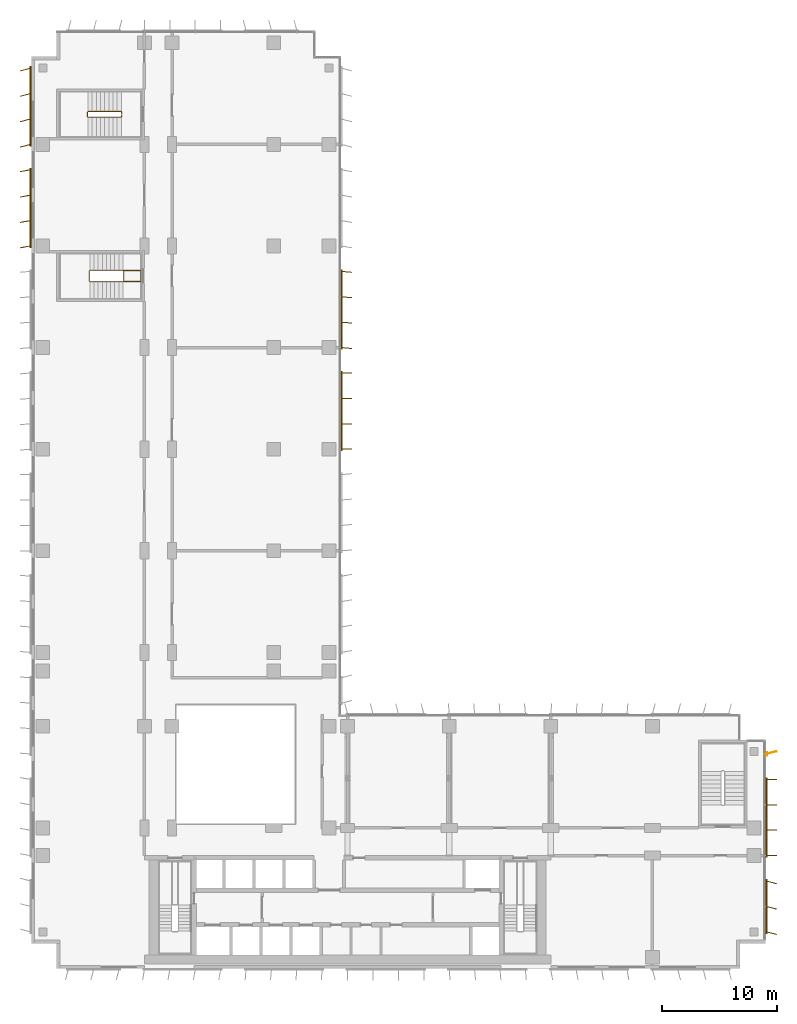
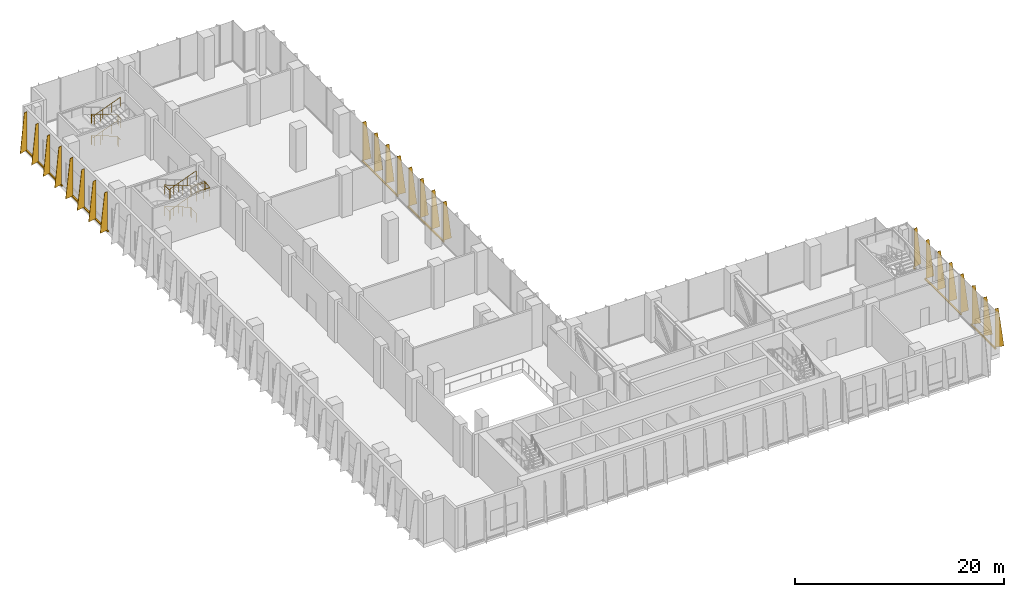
# One storey, part 20 of 21: 7 shading devices, 2 railings.
"""IFC4 building model written with IfcOpenShell, lengths in metres."""

from ifc_helpers import new_model, si_unit, direction, frame, origin, origin_2d, place, context, subcontext, project, spatial, polyline, rectangle, circle, outline, extrude, source, transform, mapped, material, layer, layer_set, type_object, element, save


model = new_model("IFC4")

# Units and contexts
model_context = context("Model", 3, precision=1e-05, world=origin(), true_north=direction((0.0, 1.0)))
body_context = subcontext(model_context, "Body", "Model", "MODEL_VIEW")
ifc_project = project(units=[si_unit("LENGTHUNIT", "METRE"), si_unit("AREAUNIT", "SQUARE_METRE"), si_unit("VOLUMEUNIT", "CUBIC_METRE"), si_unit("PLANEANGLEUNIT", "RADIAN"), si_unit("MASSUNIT", "GRAM", prefix="KILO")], contexts=[model_context])

# Site, building, storey
site_placement = place(None, origin())
site = spatial("IfcSite", under=ifc_project, at=site_placement, CompositionType="ELEMENT")
building_placement = place(site_placement, origin())
building = spatial("IfcBuilding", under=site, at=building_placement, Name="Kemantara Hotel Tower", CompositionType="ELEMENT")
storey_placement = place(building_placement, frame((0.0, 0.0, 133.300048828125)))
storey = spatial("IfcBuildingStorey", under=building, at=storey_placement, Name="L32", CompositionType="ELEMENT", Elevation=133.300048828125)

# Railings
ifc_material_1 = material(Name="Stainless steel balustrade", Category="steel")
railing_type = type_object("IfcRailingType", Name="Stair guard 1100 mm", PredefinedType="GUARDRAIL", material=ifc_material_1)
railing_1_placement = place(storey_placement, frame((7.949951171875, 59.5, 5.0)))
element("IfcRailing", 1, at=railing_1_placement, inside=storey, type_object=railing_type, Name="L32 ST4 stair guard 1", PredefinedType="GUARDRAIL", context=body_context, shape_type="SweptSolid", body=[
    extrude(circle(Radius=0.02392578125, at=origin_2d()), frame((0.0, 0.0, 1.076171875), z_axis=(-0.932972064118, 0.0, -0.359948784656), x_axis=(0.0, -1.0, 0.0)), (0.0, 0.0, 1.0), 3.086669921875),
    extrude(circle(Radius=0.02392578125, at=origin_2d()), frame((-2.8798828125, 0.0, -0.03515625), z_axis=(-0.321014310373, 0.321014310373, -0.891010451718), x_axis=(-0.707106781187, -0.707106781187, 0.0)), (0.0, 0.0, 1.0), 0.156005859375),
    extrude(circle(Radius=0.02392578125, at=origin_2d()), frame((-2.929931640625, 0.050048828125, -0.173828125), z_axis=(0.0, 1.0, 0.0), x_axis=(-1.0, 0.0, 0.0)), (0.0, 0.0, 1.0), 0.89990234375),
    extrude(circle(Radius=0.02392578125, at=origin_2d()), frame((-2.929931640625, 0.949951171875, -0.173828125), z_axis=(0.707106781187, 0.707106781187, 0.0), x_axis=(-0.707106781187, 0.707106781187, 0.0)), (0.0, 0.0, 1.0), 0.07080078125),
    extrude(circle(Radius=0.02392578125, at=origin_2d()), frame((-2.8798828125, 1.0, -0.173828125), z_axis=(0.932972064118, 0.0, -0.359948784656), x_axis=(0.0, 1.0, 0.0)), (0.0, 0.0, 1.0), 3.086669921875),
    extrude(circle(Radius=0.02392578125, at=origin_2d()), frame((0.0, 1.0, -1.28515625), z_axis=(1.0, 0.0, 0.0), x_axis=(0.0, 1.0, 0.0)), (0.0, 0.0, 1.0), 1.530029296875),
    extrude(circle(Radius=0.02392578125, at=origin_2d()), frame((1.530029296875, 1.0, -1.28515625), z_axis=(0.0, -0.989476165601, -0.144695949172), x_axis=(1.0, 0.0, 0.0)), (0.0, 0.0, 1.0), 0.9599609375),
    extrude(circle(Radius=0.02392578125, at=origin_2d()), frame((1.530029296875, 0.050048828125, -1.423828125), z_axis=(-1.0, 0.0, 0.0), x_axis=(0.0, -1.0, 0.0)), (0.0, 0.0, 1.0), 1.47998046875),
    extrude(circle(Radius=0.02392578125, at=origin_2d()), frame((0.050048828125, 0.050048828125, -1.423828125), z_axis=(0.0, 1.0, 0.0), x_axis=(-1.0, 0.0, 0.0)), (0.0, 0.0, 1.0), 0.89990234375),
    extrude(circle(Radius=0.02392578125, at=origin_2d()), frame((0.050048828125, 0.949951171875, -1.423828125), z_axis=(1.0, 0.0, 0.0), x_axis=(0.0, 1.0, 0.0)), (0.0, 0.0, 1.0), 1.47998046875),
    extrude(circle(Radius=0.02392578125, at=origin_2d()), frame((1.530029296875, 0.949951171875, -1.423828125), z_axis=(0.0, -1.0, 0.0), x_axis=(1.0, 0.0, 0.0)), (0.0, 0.0, 1.0), 0.949951171875),
    extrude(circle(Radius=0.02392578125, at=origin_2d()), frame((1.530029296875, 0.0, -1.423828125), z_axis=(-1.0, 0.0, 0.0), x_axis=(0.0, -1.0, 0.0)), (0.0, 0.0, 1.0), 1.530029296875),
    extrude(circle(Radius=0.02392578125, at=origin_2d()), frame((0.0, 0.0, -1.423828125), z_axis=(-0.932972064118, 0.0, -0.359948784656), x_axis=(0.0, -1.0, 0.0)), (0.0, 0.0, 1.0), 3.086669921875),
    extrude(circle(Radius=0.02392578125, at=origin_2d()), frame((-2.8798828125, 0.0, -2.53515625), z_axis=(-0.321014310373, 0.321014310373, -0.891010451718), x_axis=(-0.707106781187, -0.707106781187, 0.0)), (0.0, 0.0, 1.0), 0.156005859375),
    extrude(circle(Radius=0.02392578125, at=origin_2d()), frame((-2.929931640625, 0.050048828125, -2.673828125), z_axis=(0.0, 1.0, 0.0), x_axis=(-1.0, 0.0, 0.0)), (0.0, 0.0, 1.0), 0.89990234375),
    extrude(circle(Radius=0.02392578125, at=origin_2d()), frame((-2.929931640625, 0.949951171875, -2.673828125), z_axis=(0.707106781187, 0.707106781187, 0.0), x_axis=(-0.707106781187, 0.707106781187, 0.0)), (0.0, 0.0, 1.0), 0.07080078125),
    extrude(circle(Radius=0.02392578125, at=origin_2d()), frame((-2.8798828125, 1.0, -2.673828125), z_axis=(0.932972064118, 0.0, -0.359948784656), x_axis=(0.0, 1.0, 0.0)), (0.0, 0.0, 1.0), 3.086669921875),
    extrude(circle(Radius=0.02392578125, at=origin_2d()), frame((0.0, 1.0, -3.78515625), z_axis=(0.321014310373, -0.321014310373, -0.891010451718), x_axis=(0.707106781187, 0.707106781187, 0.0)), (0.0, 0.0, 1.0), 0.156005859375),
    extrude(circle(Radius=0.02392578125, at=origin_2d()), frame((0.050048828125, 0.949951171875, -3.923828125), z_axis=(0.0, -1.0, 0.0), x_axis=(1.0, 0.0, 0.0)), (0.0, 0.0, 1.0), 0.89990234375),
    extrude(circle(Radius=0.02099609375, at=origin_2d()), origin(), (0.0, 0.0, 1.0), 1.052001953125),
    extrude(circle(Radius=0.02099609375, at=origin_2d()), frame((-0.9599609375, 0.0, -0.370361328125)), (0.0, 0.0, 1.0), 1.052001953125),
    extrude(circle(Radius=0.02099609375, at=origin_2d()), frame((-1.919921875, 0.0, -0.74072265625)), (0.0, 0.0, 1.0), 1.052001953125),
    extrude(circle(Radius=0.02099609375, at=origin_2d()), frame((-2.8798828125, 0.0, -1.111083984375)), (0.0, 0.0, 1.0), 1.052001953125),
    extrude(circle(Radius=0.02099609375, at=origin_2d()), frame((-2.929931640625, 0.050048828125, -1.25)), (0.0, 0.0, 1.0), 1.052001953125),
    extrude(circle(Radius=0.02099609375, at=origin_2d()), frame((-2.929931640625, 0.949951171875, -1.25)), (0.0, 0.0, 1.0), 1.052001953125),
    extrude(circle(Radius=0.02099609375, at=origin_2d()), frame((-2.8798828125, 1.0, -1.25)), (0.0, 0.0, 1.0), 1.052001953125),
    extrude(circle(Radius=0.02099609375, at=origin_2d()), frame((-1.919921875, 1.0, -1.620361328125)), (0.0, 0.0, 1.0), 1.052001953125),
    extrude(circle(Radius=0.02099609375, at=origin_2d()), frame((-0.9599609375, 1.0, -1.99072265625)), (0.0, 0.0, 1.0), 1.052001953125),
    extrude(circle(Radius=0.02099609375, at=origin_2d()), frame((0.0, 1.0, -2.361083984375)), (0.0, 0.0, 1.0), 1.052001953125),
    extrude(circle(Radius=0.02099609375, at=origin_2d()), frame((0.76513671875, 1.0, -2.361083984375)), (0.0, 0.0, 1.0), 1.052001953125),
    extrude(circle(Radius=0.02099609375, at=origin_2d()), frame((1.530029296875, 1.0, -2.361083984375)), (0.0, 0.0, 1.0), 1.052001953125),
    extrude(circle(Radius=0.02099609375, at=origin_2d()), frame((1.530029296875, 0.050048828125, -2.5)), (0.0, 0.0, 1.0), 1.052001953125),
    extrude(circle(Radius=0.02099609375, at=origin_2d()), frame((0.7900390625, 0.050048828125, -2.5)), (0.0, 0.0, 1.0), 1.052001953125),
    extrude(circle(Radius=0.02099609375, at=origin_2d()), frame((0.050048828125, 0.050048828125, -2.5)), (0.0, 0.0, 1.0), 1.052001953125),
    extrude(circle(Radius=0.02099609375, at=origin_2d()), frame((0.050048828125, 0.949951171875, -2.5)), (0.0, 0.0, 1.0), 1.052001953125),
    extrude(circle(Radius=0.02099609375, at=origin_2d()), frame((0.7900390625, 0.949951171875, -2.5)), (0.0, 0.0, 1.0), 1.052001953125),
    extrude(circle(Radius=0.02099609375, at=origin_2d()), frame((1.530029296875, 0.949951171875, -2.5)), (0.0, 0.0, 1.0), 1.052001953125),
    extrude(circle(Radius=0.02099609375, at=origin_2d()), frame((1.530029296875, 0.0, -2.5)), (0.0, 0.0, 1.0), 1.052001953125),
    extrude(circle(Radius=0.02099609375, at=origin_2d()), frame((0.76513671875, 0.0, -2.5)), (0.0, 0.0, 1.0), 1.052001953125),
    extrude(circle(Radius=0.02099609375, at=origin_2d()), frame((0.0, 0.0, -2.5)), (0.0, 0.0, 1.0), 1.052001953125),
    extrude(circle(Radius=0.02099609375, at=origin_2d()), frame((-0.9599609375, 0.0, -2.870361328125)), (0.0, 0.0, 1.0), 1.052001953125),
    extrude(circle(Radius=0.02099609375, at=origin_2d()), frame((-1.919921875, 0.0, -3.24072265625)), (0.0, 0.0, 1.0), 1.052001953125),
    extrude(circle(Radius=0.02099609375, at=origin_2d()), frame((-2.8798828125, 0.0, -3.611083984375)), (0.0, 0.0, 1.0), 1.052001953125),
    extrude(circle(Radius=0.02099609375, at=origin_2d()), frame((-2.929931640625, 0.050048828125, -3.75)), (0.0, 0.0, 1.0), 1.052001953125),
    extrude(circle(Radius=0.02099609375, at=origin_2d()), frame((-2.929931640625, 0.949951171875, -3.75)), (0.0, 0.0, 1.0), 1.052001953125),
    extrude(circle(Radius=0.02099609375, at=origin_2d()), frame((-2.8798828125, 1.0, -3.75)), (0.0, 0.0, 1.0), 1.052001953125),
    extrude(circle(Radius=0.02099609375, at=origin_2d()), frame((-1.919921875, 1.0, -4.120361328125)), (0.0, 0.0, 1.0), 1.052001953125),
    extrude(circle(Radius=0.02099609375, at=origin_2d()), frame((-0.9599609375, 1.0, -4.49072265625)), (0.0, 0.0, 1.0), 1.052001953125),
    extrude(circle(Radius=0.02099609375, at=origin_2d()), frame((0.0, 1.0, -4.861083984375)), (0.0, 0.0, 1.0), 1.052001953125),
    extrude(circle(Radius=0.02099609375, at=origin_2d()), frame((0.050048828125, 0.949951171875, -5.0)), (0.0, 0.0, 1.0), 1.052001953125),
    extrude(circle(Radius=0.02099609375, at=origin_2d()), frame((0.050048828125, 0.050048828125, -5.0)), (0.0, 0.0, 1.0), 1.052001953125),
])
railing_2_placement = place(storey_placement, frame((7.800048828125, 73.75, 5.0)))
element("IfcRailing", 2, at=railing_2_placement, inside=storey, type_object=railing_type, Name="L32 ST6 stair guard 1", PredefinedType="GUARDRAIL", context=body_context, shape_type="SweptSolid", body=[
    extrude(circle(Radius=0.02392578125, at=origin_2d()), frame((0.0, 0.0, 1.076171875), z_axis=(-0.932982310422, 0.0, -0.359922225543), x_axis=(0.0, -1.0, 0.0)), (0.0, 0.0, 1.0), 3.0869140625),
    extrude(circle(Radius=0.02392578125, at=origin_2d()), frame((-2.880126953125, 0.0, -0.03515625), z_axis=(-0.319608697381, 0.321175406682, -0.891457592206), x_axis=(-0.708833529934, -0.705375805398, 0.0)), (0.0, 0.0, 1.0), 0.15576171875),
    extrude(circle(Radius=0.02392578125, at=origin_2d()), frame((-2.929931640625, 0.050048828125, -0.173828125), z_axis=(0.0, 1.0, 0.0), x_axis=(-1.0, 0.0, 0.0)), (0.0, 0.0, 1.0), 0.39990234375),
    extrude(circle(Radius=0.02392578125, at=origin_2d()), frame((-2.929931640625, 0.449951171875, -0.173828125), z_axis=(0.705375805398, 0.708833529934, 0.0), x_axis=(-0.708833529934, 0.705375805398, 0.0)), (0.0, 0.0, 1.0), 0.070556640625),
    extrude(circle(Radius=0.02392578125, at=origin_2d()), frame((-2.880126953125, 0.5, -0.173828125), z_axis=(0.932982310422, 0.0, -0.359922225543), x_axis=(0.0, 1.0, 0.0)), (0.0, 0.0, 1.0), 3.0869140625),
    extrude(circle(Radius=0.02392578125, at=origin_2d()), frame((0.0, 0.5, -1.28515625), z_axis=(0.105686461667, -0.950147067569, -0.293344374089), x_axis=(0.993870574751, 0.110549901152, 0.0)), (0.0, 0.0, 1.0), 0.4736328125),
    extrude(circle(Radius=0.02392578125, at=origin_2d()), frame((0.050048828125, 0.050048828125, -1.423828125), z_axis=(0.0, 1.0, 0.0), x_axis=(-1.0, 0.0, 0.0)), (0.0, 0.0, 1.0), 0.39990234375),
    extrude(circle(Radius=0.02392578125, at=origin_2d()), frame((0.050048828125, 0.449951171875, -1.423828125), z_axis=(-0.110549901152, -0.993870574751, 0.0), x_axis=(0.993870574751, -0.110549901152, 0.0)), (0.0, 0.0, 1.0), 0.45263671875),
    extrude(circle(Radius=0.02392578125, at=origin_2d()), frame((0.0, 0.0, -1.423828125), z_axis=(-0.932982310422, 0.0, -0.359922225543), x_axis=(0.0, -1.0, 0.0)), (0.0, 0.0, 1.0), 3.0869140625),
    extrude(circle(Radius=0.02392578125, at=origin_2d()), frame((-2.880126953125, 0.0, -2.53515625), z_axis=(-0.319608697381, 0.321175406682, -0.891457592206), x_axis=(-0.708833529934, -0.705375805398, 0.0)), (0.0, 0.0, 1.0), 0.15576171875),
    extrude(circle(Radius=0.02392578125, at=origin_2d()), frame((-2.929931640625, 0.050048828125, -2.673828125), z_axis=(0.0, 1.0, 0.0), x_axis=(-1.0, 0.0, 0.0)), (0.0, 0.0, 1.0), 0.39990234375),
    extrude(circle(Radius=0.02392578125, at=origin_2d()), frame((-2.929931640625, 0.449951171875, -2.673828125), z_axis=(0.705375805398, 0.708833529934, 0.0), x_axis=(-0.708833529934, 0.705375805398, 0.0)), (0.0, 0.0, 1.0), 0.070556640625),
    extrude(circle(Radius=0.02392578125, at=origin_2d()), frame((-2.880126953125, 0.5, -2.673828125), z_axis=(0.932982310422, 0.0, -0.359922225543), x_axis=(0.0, 1.0, 0.0)), (0.0, 0.0, 1.0), 3.0869140625),
    extrude(circle(Radius=0.02392578125, at=origin_2d()), frame((0.0, 0.5, -3.78515625), z_axis=(0.321014310373, -0.321014310373, -0.891010451718), x_axis=(0.707106781187, 0.707106781187, 0.0)), (0.0, 0.0, 1.0), 0.156005859375),
    extrude(circle(Radius=0.02392578125, at=origin_2d()), frame((0.050048828125, 0.449951171875, -3.923828125), z_axis=(0.0, -1.0, 0.0), x_axis=(1.0, 0.0, 0.0)), (0.0, 0.0, 1.0), 0.39990234375),
    extrude(circle(Radius=0.02099609375, at=origin_2d()), origin(), (0.0, 0.0, 1.0), 1.052001953125),
    extrude(circle(Radius=0.02099609375, at=origin_2d()), frame((-0.9599609375, 0.0, -0.370361328125)), (0.0, 0.0, 1.0), 1.052001953125),
    extrude(circle(Radius=0.02099609375, at=origin_2d()), frame((-1.920166015625, 0.0, -0.74072265625)), (0.0, 0.0, 1.0), 1.052001953125),
    extrude(circle(Radius=0.02099609375, at=origin_2d()), frame((-2.880126953125, 0.0, -1.111083984375)), (0.0, 0.0, 1.0), 1.052001953125),
    extrude(circle(Radius=0.02099609375, at=origin_2d()), frame((-2.929931640625, 0.050048828125, -1.25)), (0.0, 0.0, 1.0), 1.052001953125),
    extrude(circle(Radius=0.02099609375, at=origin_2d()), frame((-2.929931640625, 0.449951171875, -1.25)), (0.0, 0.0, 1.0), 1.052001953125),
    extrude(circle(Radius=0.02099609375, at=origin_2d()), frame((-2.880126953125, 0.5, -1.25)), (0.0, 0.0, 1.0), 1.052001953125),
    extrude(circle(Radius=0.02099609375, at=origin_2d()), frame((-1.920166015625, 0.5, -1.620361328125)), (0.0, 0.0, 1.0), 1.052001953125),
    extrude(circle(Radius=0.02099609375, at=origin_2d()), frame((-0.9599609375, 0.5, -1.99072265625)), (0.0, 0.0, 1.0), 1.052001953125),
    extrude(circle(Radius=0.02099609375, at=origin_2d()), frame((0.0, 0.5, -2.361083984375)), (0.0, 0.0, 1.0), 1.052001953125),
    extrude(circle(Radius=0.02099609375, at=origin_2d()), frame((0.050048828125, 0.050048828125, -2.5)), (0.0, 0.0, 1.0), 1.052001953125),
    extrude(circle(Radius=0.02099609375, at=origin_2d()), frame((0.050048828125, 0.449951171875, -2.5)), (0.0, 0.0, 1.0), 1.052001953125),
    extrude(circle(Radius=0.02099609375, at=origin_2d()), frame((0.0, 0.0, -2.5)), (0.0, 0.0, 1.0), 1.052001953125),
    extrude(circle(Radius=0.02099609375, at=origin_2d()), frame((-0.9599609375, 0.0, -2.870361328125)), (0.0, 0.0, 1.0), 1.052001953125),
    extrude(circle(Radius=0.02099609375, at=origin_2d()), frame((-1.920166015625, 0.0, -3.24072265625)), (0.0, 0.0, 1.0), 1.052001953125),
    extrude(circle(Radius=0.02099609375, at=origin_2d()), frame((-2.880126953125, 0.0, -3.611083984375)), (0.0, 0.0, 1.0), 1.052001953125),
    extrude(circle(Radius=0.02099609375, at=origin_2d()), frame((-2.929931640625, 0.050048828125, -3.75)), (0.0, 0.0, 1.0), 1.052001953125),
    extrude(circle(Radius=0.02099609375, at=origin_2d()), frame((-2.929931640625, 0.449951171875, -3.75)), (0.0, 0.0, 1.0), 1.052001953125),
    extrude(circle(Radius=0.02099609375, at=origin_2d()), frame((-2.880126953125, 0.5, -3.75)), (0.0, 0.0, 1.0), 1.052001953125),
    extrude(circle(Radius=0.02099609375, at=origin_2d()), frame((-1.920166015625, 0.5, -4.120361328125)), (0.0, 0.0, 1.0), 1.052001953125),
    extrude(circle(Radius=0.02099609375, at=origin_2d()), frame((-0.9599609375, 0.5, -4.49072265625)), (0.0, 0.0, 1.0), 1.052001953125),
    extrude(circle(Radius=0.02099609375, at=origin_2d()), frame((0.0, 0.5, -4.861083984375)), (0.0, 0.0, 1.0), 1.052001953125),
    extrude(circle(Radius=0.02099609375, at=origin_2d()), frame((0.050048828125, 0.449951171875, -5.0)), (0.0, 0.0, 1.0), 1.052001953125),
    extrude(circle(Radius=0.02099609375, at=origin_2d()), frame((0.050048828125, 0.050048828125, -5.0)), (0.0, 0.0, 1.0), 1.052001953125),
])

# Shading devices
ifc_material_2 = material(Name="Perforated aluminium plate 4 mm bronze anodised", Category="aluminium")
ifc_layer_1 = layer(ifc_material_2, 0.0400390625)
ifc_layer_set_1 = layer_set([ifc_layer_1], Name="Perforated aluminium plate 4 mm bronze anodised")
shading_device_type_1 = type_object("IfcShadingDeviceType", Name="SCREEN FIN CASSETTE, 3 BLADES AT -15.0 DEG, 4500 HIGH", PredefinedType="USERDEFINED", material=ifc_layer_set_1)
shared_shape_1 = source(origin(), body_context, "Body", "SweptSolid", [
    extrude(rectangle(XDim=4.699951171875, YDim=0.14990234375, at=origin_2d()), frame((2.199951171875, -0.074951171875, -0.14990234375), z_axis=(0.0, 0.0, 1.0), x_axis=(1.0, 0.0, 0.0)), (0.0, 0.0, 1.0), 0.14990234375),
    extrude(outline(polyline([(0.0, 0.0), (0.89990234375, 0.0), (0.35009765625, 4.5), (0.0, 4.5), (0.0, 0.0)])), frame((0.019287109375, -0.080078125, 0.0), z_axis=(-0.966437683387, 0.256901156343, 0.0), x_axis=(-0.256901156343, -0.966437683387, 0.0)), (0.0, 0.0, 1.0), 0.039794921875),
    extrude(outline(polyline([(0.0, 0.0), (0.89990234375, 0.0), (0.35009765625, 4.5), (0.0, 4.5), (0.0, 0.0)])), frame((2.21923828125, -0.080078125, 0.0), z_axis=(-0.966437683387, 0.256901156343, 0.0), x_axis=(-0.256901156343, -0.966437683387, 0.0)), (0.0, 0.0, 1.0), 0.039794921875),
    extrude(outline(polyline([(0.0, 0.0), (0.89990234375, 0.0), (0.35009765625, 4.5), (0.0, 4.5), (0.0, 0.0)])), frame((4.41943359375, -0.080078125, 0.0), z_axis=(-0.966837822169, 0.255391122837, 0.0), x_axis=(-0.255391122837, -0.966837822169, 0.0)), (0.0, 0.0, 1.0), 0.0400390625),
])
shading_device_1_placement = place(storey_placement, frame((63.60009765625, 3.199951171875, 0.099853515625), z_axis=(0.0, 0.0, 1.0), x_axis=(0.0, 1.0, 0.0)))
element("IfcShadingDevice", 3, at=shading_device_1_placement, inside=storey, type_object=shading_device_type_1, Name="SCREEN FIN CASSETTE L32 T2-R10-1", ObjectType="SCREEN FIN", PredefinedType="USERDEFINED", context=body_context, shape_type="MappedRepresentation", body=[
    mapped(shared_shape_1, transform((0.0, 0.0, 0.0))),
])
ifc_layer_2 = layer(ifc_material_2, 0.0400390625)
ifc_layer_set_2 = layer_set([ifc_layer_2], Name="Perforated aluminium plate 4 mm bronze anodised")
shading_device_type_2 = type_object("IfcShadingDeviceType", Name="SCREEN FIN CASSETTE, 4 BLADES AT -5.0 DEG, 4500 HIGH", PredefinedType="USERDEFINED", material=ifc_layer_set_2)
shared_shape_2 = source(origin(), body_context, "Body", "SweptSolid", [
    extrude(rectangle(XDim=6.89990234375, YDim=0.14990234375, at=origin_2d()), frame((3.300048828125, -0.074951171875, -0.14990234375), z_axis=(0.0, 0.0, 1.0), x_axis=(1.0, 0.0, 0.0)), (0.0, 0.0, 1.0), 0.14990234375),
    extrude(outline(polyline([(0.0, 0.0), (0.89990234375, 0.0), (0.35009765625, 4.5), (0.0, 4.5), (0.0, 0.0)])), frame((0.02001953125, -0.07666015625, 0.0), z_axis=(-0.996376129781, 0.085056498884, 0.0), x_axis=(-0.085056498884, -0.996376129781, 0.0)), (0.0, 0.0, 1.0), 0.040283203125),
    extrude(outline(polyline([(0.0, 0.0), (0.89990234375, 0.0), (0.35009765625, 4.5), (0.0, 4.5), (0.0, 0.0)])), frame((2.219970703125, -0.07666015625, 0.0), z_axis=(-0.996331773833, 0.085574508182, 0.0), x_axis=(-0.085574508182, -0.996331773833, 0.0)), (0.0, 0.0, 1.0), 0.0400390625),
    extrude(outline(polyline([(0.0, 0.0), (0.89990234375, 0.0), (0.35009765625, 4.5), (0.0, 4.5), (0.0, 0.0)])), frame((4.419921875, -0.07666015625, 0.0), z_axis=(-0.996331773833, 0.085574508182, 0.0), x_axis=(-0.085574508182, -0.996331773833, 0.0)), (0.0, 0.0, 1.0), 0.0400390625),
    extrude(outline(polyline([(0.0, 0.0), (0.89990234375, 0.0), (0.35009765625, 4.5), (0.0, 4.5), (0.0, 0.0)])), frame((6.619873046875, -0.07666015625, 0.0), z_axis=(-0.996331773833, 0.085574508182, 0.0), x_axis=(-0.085574508182, -0.996331773833, 0.0)), (0.0, 0.0, 1.0), 0.0400390625),
])
shading_device_2_placement = place(storey_placement, frame((26.800048828125, 53.800048828125, 0.099853515625), z_axis=(0.0, 0.0, 1.0), x_axis=(0.0, 1.0, 0.0)))
element("IfcShadingDevice", 4, at=shading_device_2_placement, inside=storey, type_object=shading_device_type_2, Name="SCREEN FIN CASSETTE L32 T2-R14-5", ObjectType="SCREEN FIN", PredefinedType="USERDEFINED", context=body_context, shape_type="MappedRepresentation", body=[
    mapped(shared_shape_2, transform((0.0, 0.0, 0.0))),
])
ifc_layer_3 = layer(ifc_material_2, 0.0400390625)
ifc_layer_set_3 = layer_set([ifc_layer_3], Name="Perforated aluminium plate 4 mm bronze anodised")
shading_device_type_3 = type_object("IfcShadingDeviceType", Name="SCREEN FIN CASSETTE, 4 BLADES AT +0.0 DEG, 4500 HIGH", PredefinedType="USERDEFINED", material=ifc_layer_set_3)
shared_shape_3 = source(origin(), body_context, "Body", "SweptSolid", [
    extrude(rectangle(XDim=6.89990234375, YDim=0.14990234375, at=origin_2d()), frame((3.300048828125, -0.074951171875, -0.14990234375), z_axis=(0.0, 0.0, 1.0), x_axis=(1.0, 0.0, 0.0)), (0.0, 0.0, 1.0), 0.14990234375),
    extrude(outline(polyline([(0.0, 0.0), (0.89990234375, 0.0), (0.35009765625, 4.5), (0.0, 4.5), (0.0, 0.0)])), frame((0.02001953125, -0.074951171875, 0.0), z_axis=(-1.0, 0.0, 0.0), x_axis=(0.0, -1.0, 0.0)), (0.0, 0.0, 1.0), 0.0400390625),
    extrude(outline(polyline([(0.0, 0.0), (0.89990234375, 0.0), (0.35009765625, 4.5), (0.0, 4.5), (0.0, 0.0)])), frame((2.219970703125, -0.074951171875, 0.0), z_axis=(-1.0, 0.0, 0.0), x_axis=(0.0, -1.0, 0.0)), (0.0, 0.0, 1.0), 0.0400390625),
    extrude(outline(polyline([(0.0, 0.0), (0.89990234375, 0.0), (0.35009765625, 4.5), (0.0, 4.5), (0.0, 0.0)])), frame((4.419921875, -0.074951171875, 0.0), z_axis=(-1.0, 0.0, 0.0), x_axis=(0.0, -1.0, 0.0)), (0.0, 0.0, 1.0), 0.0400390625),
    extrude(outline(polyline([(0.0, 0.0), (0.89990234375, 0.0), (0.35009765625, 4.5), (0.0, 4.5), (0.0, 0.0)])), frame((6.6201171875, -0.074951171875, 0.0), z_axis=(-1.0, 0.0, 0.0), x_axis=(0.0, -1.0, 0.0)), (0.0, 0.0, 1.0), 0.0400390625),
])
for number, where, z_axis, x_axis, name in (
    (5, (63.60009765625, 9.800048828125, 0.099853515625), (0.0, 0.0, 1.0), (0.0, 1.0, 0.0), "SCREEN FIN CASSETTE L32 T2-R10-2"),
    (6, (26.800048828125, 45.0, 0.099853515625), (0.0, 0.0, 1.0), (0.0, 1.0, 0.0), "SCREEN FIN CASSETTE L32 T2-R14-4"),
):
    element("IfcShadingDevice", number, at=place(storey_placement, frame(where, z_axis=z_axis, x_axis=x_axis)), inside=storey, type_object=shading_device_type_3, Name=name, ObjectType="SCREEN FIN", PredefinedType="USERDEFINED", context=body_context, shape_type="MappedRepresentation", body=[
        mapped(shared_shape_3, transform((0.0, 0.0, 0.0))),
    ])
ifc_layer_4 = layer(ifc_material_2, 0.0400390625)
ifc_layer_set_4 = layer_set([ifc_layer_4], Name="Perforated aluminium plate 4 mm bronze anodised")
shading_device_type_4 = type_object("IfcShadingDeviceType", Name="SCREEN FIN CASSETTE, 4 BLADES AT +10.0 DEG, 4500 HIGH", PredefinedType="USERDEFINED", material=ifc_layer_set_4)
shared_shape_4 = source(origin(), body_context, "Body", "SweptSolid", [
    extrude(rectangle(XDim=6.89990234375, YDim=0.14990234375, at=origin_2d()), frame((3.300048828125, -0.074951171875, -0.14990234375), z_axis=(0.0, 0.0, 1.0), x_axis=(1.0, 0.0, 0.0)), (0.0, 0.0, 1.0), 0.14990234375),
    extrude(outline(polyline([(0.0, 0.0), (0.89990234375, 0.0), (0.35009765625, 4.5), (0.0, 4.5), (0.0, 0.0)])), frame((0.019775390625, -0.071533203125, 0.0), z_axis=(-0.985389793052, -0.170314285219, 0.0), x_axis=(0.170314285219, -0.985389793052, 0.0)), (0.0, 0.0, 1.0), 0.0400390625),
    extrude(outline(polyline([(0.0, 0.0), (0.89990234375, 0.0), (0.35009765625, 4.5), (0.0, 4.5), (0.0, 0.0)])), frame((2.2197265625, -0.071533203125, 0.0), z_axis=(-0.98521175482, -0.171341174751, 0.0), x_axis=(0.171341174751, -0.98521175482, 0.0)), (0.0, 0.0, 1.0), 0.039794921875),
    extrude(outline(polyline([(0.0, 0.0), (0.89990234375, 0.0), (0.35009765625, 4.5), (0.0, 4.5), (0.0, 0.0)])), frame((4.419677734375, -0.071533203125, 0.0), z_axis=(-0.98521175482, -0.171341174751, 0.0), x_axis=(0.171341174751, -0.98521175482, 0.0)), (0.0, 0.0, 1.0), 0.039794921875),
    extrude(outline(polyline([(0.0, 0.0), (0.89990234375, 0.0), (0.35009765625, 4.5), (0.0, 4.5), (0.0, 0.0)])), frame((6.61962890625, -0.071533203125, 0.0), z_axis=(-0.98521175482, -0.171341174751, 0.0), x_axis=(0.171341174751, -0.98521175482, 0.0)), (0.0, 0.0, 1.0), 0.039794921875),
])
shading_device_3_placement = place(storey_placement, frame((0.0, 69.199951171875, 0.099853515625), z_axis=(0.0, 0.0, 1.0), x_axis=(0.0, -1.0, 0.0)))
element("IfcShadingDevice", 7, at=shading_device_3_placement, inside=storey, type_object=shading_device_type_4, Name="SCREEN FIN CASSETTE L32 T2-R04-2", ObjectType="SCREEN FIN", PredefinedType="USERDEFINED", context=body_context, shape_type="MappedRepresentation", body=[
    mapped(shared_shape_4, transform((0.0, 0.0, 0.0))),
])
ifc_layer_5 = layer(ifc_material_2, 0.0400390625)
ifc_layer_set_5 = layer_set([ifc_layer_5], Name="Perforated aluminium plate 4 mm bronze anodised")
shading_device_type_5 = type_object("IfcShadingDeviceType", Name="SCREEN FIN CASSETTE, 4 BLADES AT +15.0 DEG, 4500 HIGH", PredefinedType="USERDEFINED", material=ifc_layer_set_5)
shared_shape_5 = source(origin(), body_context, "Body", "SweptSolid", [
    extrude(rectangle(XDim=6.89990234375, YDim=0.14990234375, at=origin_2d()), frame((3.300048828125, -0.074951171875, -0.14990234375), z_axis=(0.0, 0.0, 1.0), x_axis=(1.0, 0.0, 0.0)), (0.0, 0.0, 1.0), 0.14990234375),
    extrude(outline(polyline([(0.0, 0.0), (0.89990234375, 0.0), (0.35009765625, 4.5), (0.0, 4.5), (0.0, 0.0)])), frame((0.019287109375, -0.06982421875, 0.0), z_axis=(-0.966437683387, -0.256901156343, 0.0), x_axis=(0.256901156343, -0.966437683387, 0.0)), (0.0, 0.0, 1.0), 0.039794921875),
    extrude(outline(polyline([(0.0, 0.0), (0.89990234375, 0.0), (0.35009765625, 4.5), (0.0, 4.5), (0.0, 0.0)])), frame((2.21923828125, -0.06982421875, 0.0), z_axis=(-0.966437683387, -0.256901156343, 0.0), x_axis=(0.256901156343, -0.966437683387, 0.0)), (0.0, 0.0, 1.0), 0.039794921875),
    extrude(outline(polyline([(0.0, 0.0), (0.89990234375, 0.0), (0.35009765625, 4.5), (0.0, 4.5), (0.0, 0.0)])), frame((4.41943359375, -0.06982421875, 0.0), z_axis=(-0.966837822169, -0.255391122837, 0.0), x_axis=(0.255391122837, -0.966837822169, 0.0)), (0.0, 0.0, 1.0), 0.0400390625),
    extrude(outline(polyline([(0.0, 0.0), (0.89990234375, 0.0), (0.35009765625, 4.5), (0.0, 4.5), (0.0, 0.0)])), frame((6.619384765625, -0.06982421875, 0.0), z_axis=(-0.966837822169, -0.255391122837, 0.0), x_axis=(0.255391122837, -0.966837822169, 0.0)), (0.0, 0.0, 1.0), 0.0400390625),
])
shading_device_4_placement = place(storey_placement, frame((0.0, 78.0, 0.099853515625), z_axis=(0.0, 0.0, 1.0), x_axis=(0.0, -1.0, 0.0)))
element("IfcShadingDevice", 8, at=shading_device_4_placement, inside=storey, type_object=shading_device_type_5, Name="SCREEN FIN CASSETTE L32 T2-R04-1", ObjectType="SCREEN FIN", PredefinedType="USERDEFINED", context=body_context, shape_type="MappedRepresentation", body=[
    mapped(shared_shape_5, transform((0.0, 0.0, 0.0))),
])
ifc_layer_6 = layer(ifc_material_2, 0.0400390625)
ifc_layer_set_6 = layer_set([ifc_layer_6], Name="Perforated aluminium plate 4 mm bronze anodised")
shading_device_type_6 = type_object("IfcShadingDeviceType", Name="SCREEN FIN CASSETTE, 1 BLADE AT +15.0 DEG, 4500 HIGH", PredefinedType="USERDEFINED", material=ifc_layer_set_6)
shared_shape_6 = source(origin(), body_context, "Body", "SweptSolid", [
    extrude(rectangle(XDim=0.300048828125, YDim=0.14990234375, at=origin_2d()), frame((0.0, -0.074951171875, -0.14990234375), z_axis=(0.0, 0.0, 1.0), x_axis=(1.0, 0.0, 0.0)), (0.0, 0.0, 1.0), 0.14990234375),
    extrude(outline(polyline([(0.0, 0.0), (0.89990234375, 0.0), (0.35009765625, 4.5), (0.0, 4.5), (0.0, 0.0)])), frame((0.019287109375, -0.06982421875, 0.0), z_axis=(-0.966437683387, -0.256901156343, 0.0), x_axis=(0.256901156343, -0.966437683387, 0.0)), (0.0, 0.0, 1.0), 0.039794921875),
])
shading_device_5_placement = place(storey_placement, frame((63.60009765625, 18.60009765625, 0.099853515625), z_axis=(0.0, 0.0, 1.0), x_axis=(0.0, 1.0, 0.0)))
element("IfcShadingDevice", 9, at=shading_device_5_placement, inside=storey, type_object=shading_device_type_6, Name="SCREEN FIN CASSETTE L32 T2-R10-3", ObjectType="SCREEN FIN", PredefinedType="USERDEFINED", context=body_context, shape_type="MappedRepresentation", body=[
    mapped(shared_shape_6, transform((0.0, 0.0, 0.0))),
])

save(model, "model.ifc")
